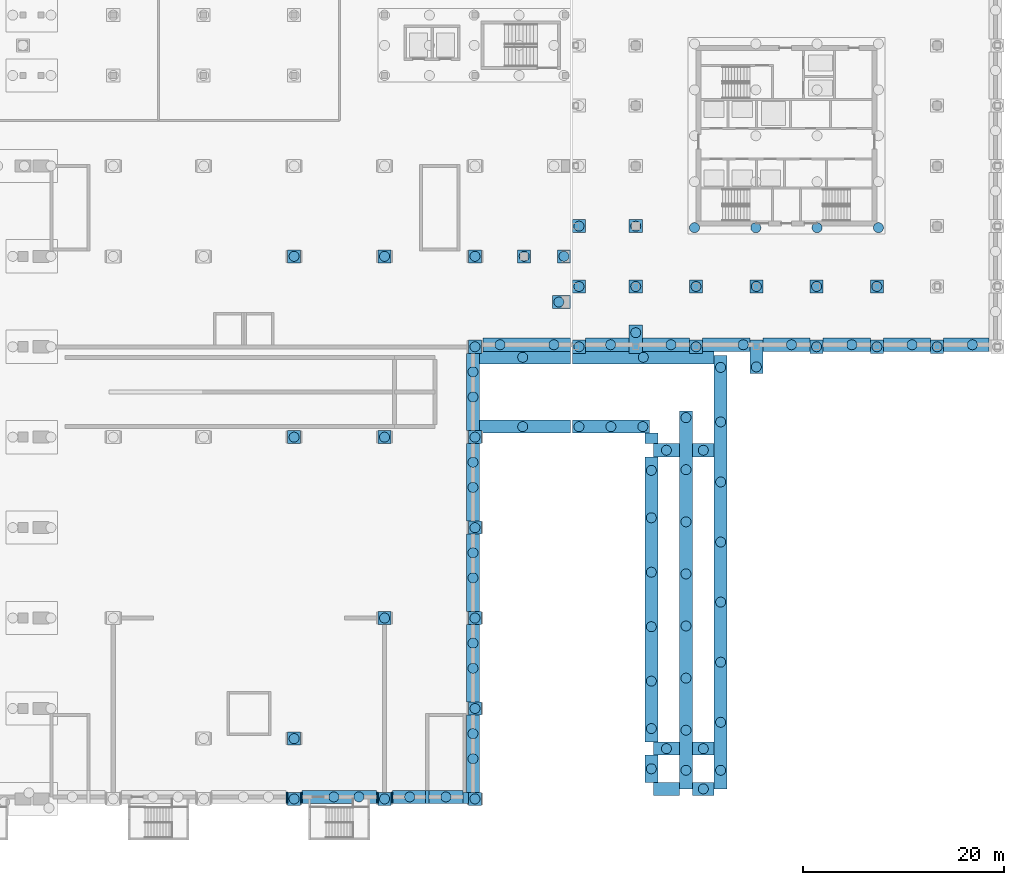
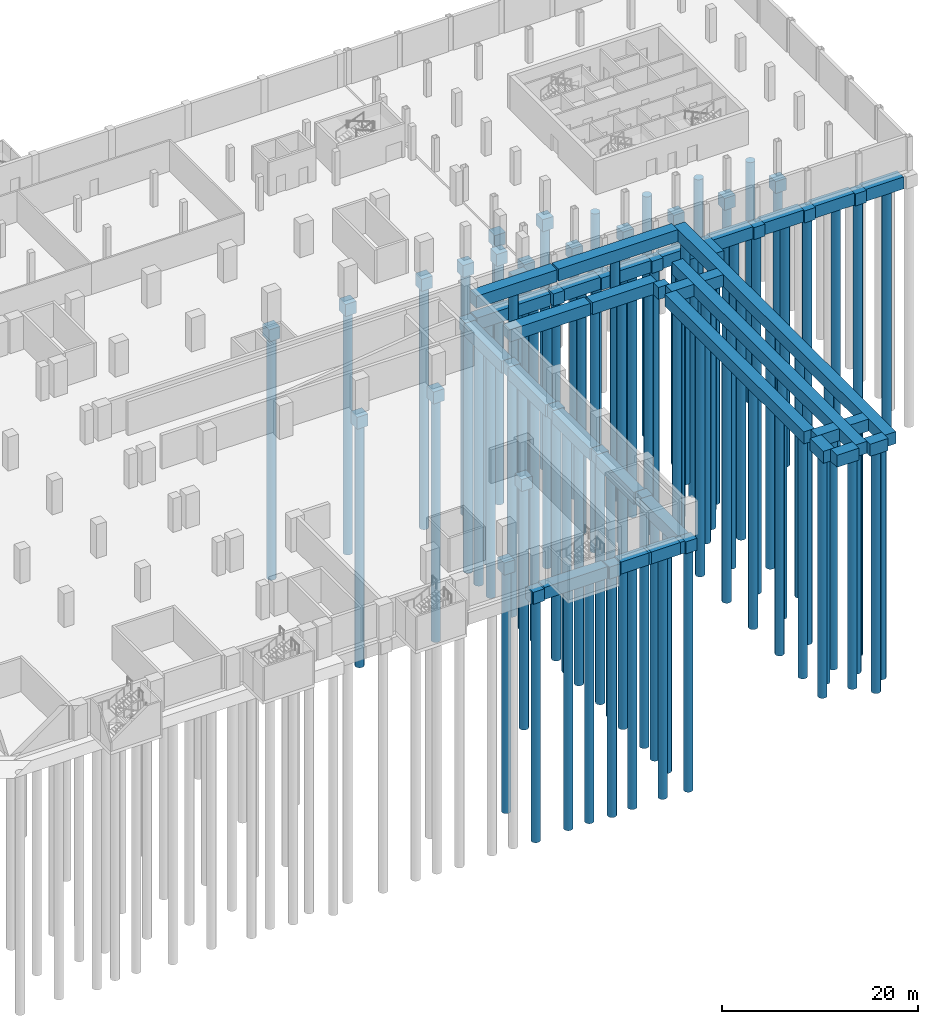
# One storey, part 4 of 29: 94 piles, 70 footings.
"""IFC4 building model written with IfcOpenShell, lengths in metres."""

from ifc_helpers import new_model, si_unit, direction, frame, origin, origin_2d, place, context, subcontext, project, spatial, rectangle, circle, extrude, material, material_profile, profile_set, type_object, element, save


model = new_model("IFC4")

# Units and contexts
model_context = context("Model", 3, precision=1e-05, world=origin(), true_north=direction((0.0, 1.0)))
body_context = subcontext(model_context, "Body", "Model", "MODEL_VIEW")
ifc_project = project(units=[si_unit("LENGTHUNIT", "METRE"), si_unit("AREAUNIT", "SQUARE_METRE"), si_unit("VOLUMEUNIT", "CUBIC_METRE"), si_unit("PLANEANGLEUNIT", "RADIAN"), si_unit("MASSUNIT", "GRAM", prefix="KILO")], contexts=[model_context])

# Site, building, storey
site_placement = place(None, origin())
site = spatial("IfcSite", under=ifc_project, at=site_placement, CompositionType="ELEMENT")
building_placement = place(site_placement, origin())
building = spatial("IfcBuilding", under=site, at=building_placement, Name="Aravalli Gate Trade Fair Centre", CompositionType="ELEMENT")
storey_placement = place(building_placement, frame((0.0, 0.0, -8.39990234375)))
storey = spatial("IfcBuildingStorey", under=building, at=storey_placement, Name="B2", CompositionType="ELEMENT", Elevation=-8.39990234375)

# Piles
ifc_material = material(Name="Concrete M35", Category="concrete")
ifc_material_profile = material_profile(ifc_material, circle(Radius=0.5, at=origin_2d()), Name="D1000")
ifc_profile_set = profile_set([ifc_material_profile], Name="Concrete M35")
pile_type = type_object("IfcPileType", Name="Basement bored pile D1000", PredefinedType="BORED", material=ifc_profile_set)
for number, where, z_axis, x_axis, name in (
    (1, (132.0, 46.0, -1.900146484375), (0.0, 0.0, -1.0), (1.0, 0.0, 0.0), "Basement bored pile W099-01"),
    (2, (141.0, 46.0, -1.900146484375), (0.0, 0.0, -1.0), (1.0, 0.0, 0.0), "Basement bored pile W100-01"),
    (3, (150.0, 46.0, -1.900146484375), (0.0, 0.0, -1.0), (1.0, 0.0, 0.0), "Basement bored pile W101-01"),
    (4, (135.949951171875, 46.199951171875, -1.900146484375), (0.0, 0.0, -1.0), (1.0, 0.0, 0.0), "Basement bored pile W112-01"),
    (5, (138.449951171875, 46.199951171875, -1.900146484375), (0.0, 0.0, -1.0), (1.0, 0.0, 0.0), "Basement bored pile W112-02"),
    (6, (143.5, 46.199951171875, -1.900146484375), (0.0, 0.0, -1.0), (1.0, 0.0, 0.0), "Basement bored pile W113-01"),
    (7, (147.10009765625, 46.199951171875, -1.900146484375), (0.0, 0.0, -1.0), (1.0, 0.0, 0.0), "Basement bored pile W114-01"),
    (8, (149.800048828125, 50.0, -1.900146484375), (0.0, 0.0, -1.0), (1.0, 0.0, 0.0), "Basement bored pile W116-01"),
    (9, (149.800048828125, 52.5, -1.900146484375), (0.0, 0.0, -1.0), (1.0, 0.0, 0.0), "Basement bored pile W116-02"),
    (10, (132.0, 52.0, -1.900146484375), (0.0, 0.0, -1.0), (1.0, 0.0, 0.0), "Basement bored pile W118-01"),
    (11, (150.0, 55.0, -1.900146484375), (0.0, 0.0, -1.0), (1.0, 0.0, 0.0), "Basement bored pile W121-01"),
    (12, (149.800048828125, 59.0, -1.900146484375), (0.0, 0.0, -1.0), (1.0, 0.0, 0.0), "Basement bored pile W123-01"),
    (13, (149.800048828125, 61.5, -1.900146484375), (0.0, 0.0, -1.0), (1.0, 0.0, 0.0), "Basement bored pile W123-02"),
    (14, (141.0, 64.0, -1.900146484375), (0.0, 0.0, -1.0), (1.0, 0.0, 0.0), "Basement bored pile W137-01"),
    (15, (150.0, 64.0, -1.900146484375), (0.0, 0.0, -1.0), (1.0, 0.0, 0.0), "Basement bored pile W138-01"),
    (16, (149.800048828125, 68.0, -1.900146484375), (0.0, 0.0, -1.0), (1.0, 0.0, 0.0), "Basement bored pile W140-01"),
    (17, (149.800048828125, 70.5, -1.900146484375), (0.0, 0.0, -1.0), (1.0, 0.0, 0.0), "Basement bored pile W140-02"),
    (18, (150.0, 73.0, -1.900146484375), (0.0, 0.0, -1.0), (1.0, 0.0, 0.0), "Basement bored pile W153-01"),
    (19, (149.800048828125, 77.0, -1.900146484375), (0.0, 0.0, -1.0), (1.0, 0.0, 0.0), "Basement bored pile W155-01"),
    (20, (149.800048828125, 79.5, -1.900146484375), (0.0, 0.0, -1.0), (1.0, 0.0, 0.0), "Basement bored pile W155-02"),
    (21, (132.0, 82.0, -1.900146484375), (0.0, 0.0, -1.0), (1.0, 0.0, 0.0), "Basement bored pile W170-01"),
    (22, (141.0, 82.0, -1.900146484375), (0.0, 0.0, -1.0), (1.0, 0.0, 0.0), "Basement bored pile W171-01"),
    (23, (150.0, 82.0, -1.900146484375), (0.0, 0.0, -1.0), (1.0, 0.0, 0.0), "Basement bored pile W172-01"),
    (24, (154.75, 83.050048828125, 1.849853515625), (0.0, 0.0, -1.0), (1.0, 0.0, 0.0), "Basement bored pile W173-01"),
    (25, (149.800048828125, 86.0, -1.900146484375), (0.0, 0.0, -1.0), (1.0, 0.0, 0.0), "Basement bored pile W175-01"),
    (26, (149.800048828125, 88.5, -1.900146484375), (0.0, 0.0, -1.0), (1.0, 0.0, 0.0), "Basement bored pile W175-02"),
    (27, (154.75, 89.949951171875, 1.849853515625), (0.0, 0.0, -1.0), (1.0, 0.0, 0.0), "Basement bored pile W176-01"),
    (28, (150.0, 91.0, -1.900146484375), (0.0, 0.0, -1.0), (1.0, 0.0, 0.0), "Basement bored pile W189-01"),
    (29, (152.5, 91.199951171875, -1.900146484375), (0.0, 0.0, -1.0), (1.0, 0.0, 0.0), "Basement bored pile W190-01"),
    (30, (157.85009765625, 91.199951171875, -1.900146484375), (0.0, 0.0, -1.0), (1.0, 0.0, 0.0), "Basement bored pile W190-02"),
    (31, (158.35009765625, 95.449951171875, -1.900146484375), (0.0, 0.0, -1.0), (1.0, 0.0, 0.0), "Basement bored pile W192-01"),
    (32, (132.0, 100.0, -1.900146484375), (0.0, 0.0, -1.0), (1.0, 0.0, 0.0), "Basement bored pile W202-01"),
    (33, (141.0, 100.0, -1.900146484375), (0.0, 0.0, -1.0), (1.0, 0.0, 0.0), "Basement bored pile W203-01"),
    (34, (150.0, 100.0, -1.900146484375), (0.0, 0.0, -1.0), (1.0, 0.0, 0.0), "Basement bored pile W204-01"),
    (35, (154.89990234375, 100.0, -1.900146484375), (0.0, 0.0, -1.0), (1.0, 0.0, 0.0), "Basement bored pile W205-01"),
    (36, (158.85009765625, 100.0, -1.900146484375), (0.0, 0.0, -1.0), (1.0, 0.0, 0.0), "Basement bored pile W206-01"),
    (37, (172.72509765625, 47.0, 1.849853515625), (0.0, 0.0, -1.0), (1.0, 0.0, 0.0), "Basement bored pile E012-01"),
    (38, (171.0, 48.85009765625, 1.849853515625), (0.0, 0.0, -1.0), (1.0, 0.0, 0.0), "Basement bored pile E013-01"),
    (39, (171.0, 52.835693359375, 1.849853515625), (0.0, 0.0, -1.0), (1.0, 0.0, 0.0), "Basement bored pile E013-02"),
    (40, (171.0, 58.021484375, 1.849853515625), (0.0, 0.0, -1.0), (1.0, 0.0, 0.0), "Basement bored pile E013-03"),
    (41, (171.0, 63.20703125, 1.849853515625), (0.0, 0.0, -1.0), (1.0, 0.0, 0.0), "Basement bored pile E013-04"),
    (42, (171.0, 68.392822265625, 1.849853515625), (0.0, 0.0, -1.0), (1.0, 0.0, 0.0), "Basement bored pile E013-05"),
    (43, (171.0, 73.57861328125, 1.849853515625), (0.0, 0.0, -1.0), (1.0, 0.0, 0.0), "Basement bored pile E013-06"),
    (44, (171.0, 78.764404296875, 1.849853515625), (0.0, 0.0, -1.0), (1.0, 0.0, 0.0), "Basement bored pile E013-07"),
    (45, (171.0, 83.949951171875, 1.849853515625), (0.0, 0.0, -1.0), (1.0, 0.0, 0.0), "Basement bored pile E013-08"),
    (46, (174.449951171875, 48.85009765625, 1.849853515625), (0.0, 0.0, -1.0), (1.0, 0.0, 0.0), "Basement bored pile E014-01"),
    (47, (174.449951171875, 53.628662109375, 1.849853515625), (0.0, 0.0, -1.0), (1.0, 0.0, 0.0), "Basement bored pile E014-02"),
    (48, (174.449951171875, 59.607177734375, 1.849853515625), (0.0, 0.0, -1.0), (1.0, 0.0, 0.0), "Basement bored pile E014-03"),
    (49, (174.449951171875, 65.585693359375, 1.849853515625), (0.0, 0.0, -1.0), (1.0, 0.0, 0.0), "Basement bored pile E014-04"),
    (50, (174.449951171875, 71.564208984375, 1.849853515625), (0.0, 0.0, -1.0), (1.0, 0.0, 0.0), "Basement bored pile E014-05"),
    (51, (174.449951171875, 77.54296875, 1.849853515625), (0.0, 0.0, -1.0), (1.0, 0.0, 0.0), "Basement bored pile E014-06"),
    (52, (174.449951171875, 83.521484375, 1.849853515625), (0.0, 0.0, -1.0), (1.0, 0.0, 0.0), "Basement bored pile E014-07"),
    (53, (174.449951171875, 88.949951171875, 1.849853515625), (0.0, 0.0, -1.0), (1.0, 0.0, 0.0), "Basement bored pile E014-08"),
    (54, (167.550048828125, 49.0, 1.849853515625), (0.0, 0.0, -1.0), (1.0, 0.0, 0.0), "Basement bored pile E015-01"),
    (55, (169.050048828125, 51.0, 1.849853515625), (0.0, 0.0, -1.0), (1.0, 0.0, 0.0), "Basement bored pile E016-01"),
    (56, (172.72509765625, 51.0, 1.849853515625), (0.0, 0.0, -1.0), (1.0, 0.0, 0.0), "Basement bored pile E017-01"),
    (57, (167.550048828125, 53.0, 1.849853515625), (0.0, 0.0, -1.0), (1.0, 0.0, 0.0), "Basement bored pile E018-01"),
    (58, (167.550048828125, 57.719970703125, 1.849853515625), (0.0, 0.0, -1.0), (1.0, 0.0, 0.0), "Basement bored pile E018-02"),
    (59, (167.550048828125, 63.139892578125, 1.849853515625), (0.0, 0.0, -1.0), (1.0, 0.0, 0.0), "Basement bored pile E018-03"),
    (60, (167.550048828125, 68.56005859375, 1.849853515625), (0.0, 0.0, -1.0), (1.0, 0.0, 0.0), "Basement bored pile E018-04"),
    (61, (167.550048828125, 73.97998046875, 1.849853515625), (0.0, 0.0, -1.0), (1.0, 0.0, 0.0), "Basement bored pile E018-05"),
    (62, (167.550048828125, 78.699951171875, 1.849853515625), (0.0, 0.0, -1.0), (1.0, 0.0, 0.0), "Basement bored pile E018-06"),
    (63, (169.050048828125, 80.699951171875, 1.849853515625), (0.0, 0.0, -1.0), (1.0, 0.0, 0.0), "Basement bored pile E019-01"),
    (64, (172.72509765625, 80.699951171875, 1.849853515625), (0.0, 0.0, -1.0), (1.0, 0.0, 0.0), "Basement bored pile E020-01"),
    (65, (160.35009765625, 83.050048828125, 1.849853515625), (0.0, 0.0, -1.0), (1.0, 0.0, 0.0), "Basement bored pile E022-01"),
    (66, (163.52490234375, 83.050048828125, 1.849853515625), (0.0, 0.0, -1.0), (1.0, 0.0, 0.0), "Basement bored pile E022-02"),
    (67, (166.699951171875, 83.050048828125, 1.849853515625), (0.0, 0.0, -1.0), (1.0, 0.0, 0.0), "Basement bored pile E022-03"),
    (68, (178.0, 89.0, -1.900146484375), (0.0, 0.0, -1.0), (1.0, 0.0, 0.0), "Basement bored pile E023-01"),
    (69, (166.75, 89.949951171875, 1.849853515625), (0.0, 0.0, -1.0), (1.0, 0.0, 0.0), "Basement bored pile E024-01"),
    (70, (160.35009765625, 91.0, -1.900146484375), (0.0, 0.0, -1.0), (1.0, 0.0, 0.0), "Basement bored pile E025-01"),
    (71, (166.0, 92.39990234375, -1.900146484375), (0.0, 0.0, -1.0), (1.0, 0.0, 0.0), "Basement bored pile E026-01"),
    (72, (172.0, 91.0, -1.900146484375), (0.0, 0.0, -1.0), (1.0, 0.0, 0.0), "Basement bored pile E027-01"),
    (73, (184.0, 91.0, -1.900146484375), (0.0, 0.0, -1.0), (1.0, 0.0, 0.0), "Basement bored pile E028-01"),
    (74, (190.0, 91.0, -1.900146484375), (0.0, 0.0, -1.0), (1.0, 0.0, 0.0), "Basement bored pile E029-01"),
    (75, (196.0, 91.0, -1.900146484375), (0.0, 0.0, -1.0), (1.0, 0.0, 0.0), "Basement bored pile E030-01"),
    (76, (163.5, 91.199951171875, -1.900146484375), (0.0, 0.0, -1.0), (1.0, 0.0, 0.0), "Basement bored pile E032-01"),
    (77, (169.5, 91.199951171875, -1.900146484375), (0.0, 0.0, -1.0), (1.0, 0.0, 0.0), "Basement bored pile E033-01"),
    (78, (176.699951171875, 91.199951171875, -1.900146484375), (0.0, 0.0, -1.0), (1.0, 0.0, 0.0), "Basement bored pile E034-01"),
    (79, (181.5, 91.199951171875, -1.900146484375), (0.0, 0.0, -1.0), (1.0, 0.0, 0.0), "Basement bored pile E035-01"),
    (80, (187.5, 91.199951171875, -1.900146484375), (0.0, 0.0, -1.0), (1.0, 0.0, 0.0), "Basement bored pile E036-01"),
    (81, (193.5, 91.199951171875, -1.900146484375), (0.0, 0.0, -1.0), (1.0, 0.0, 0.0), "Basement bored pile E037-01"),
    (82, (199.5, 91.199951171875, -1.900146484375), (0.0, 0.0, -1.0), (1.0, 0.0, 0.0), "Basement bored pile E038-01"),
    (83, (160.35009765625, 97.0, -1.900146484375), (0.0, 0.0, -1.0), (1.0, 0.0, 0.0), "Basement bored pile E040-01"),
    (84, (166.0, 97.0, -1.900146484375), (0.0, 0.0, -1.0), (1.0, 0.0, 0.0), "Basement bored pile E041-01"),
    (85, (172.0, 97.0, -1.900146484375), (0.0, 0.0, -1.0), (1.0, 0.0, 0.0), "Basement bored pile E042-01"),
    (86, (178.0, 97.0, -1.900146484375), (0.0, 0.0, -1.0), (1.0, 0.0, 0.0), "Basement bored pile E043-01"),
    (87, (184.0, 97.0, -1.900146484375), (0.0, 0.0, -1.0), (1.0, 0.0, 0.0), "Basement bored pile E044-01"),
    (88, (190.0, 97.0, -1.900146484375), (0.0, 0.0, -1.0), (1.0, 0.0, 0.0), "Basement bored pile E045-01"),
    (89, (171.85009765625, 102.85009765625, -1.900146484375), (0.0, 0.0, -1.0), (1.0, 0.0, 0.0), "Basement bored pile E049-01"),
    (90, (177.949951171875, 102.85009765625, -1.900146484375), (0.0, 0.0, -1.0), (1.0, 0.0, 0.0), "Basement bored pile E049-06"),
    (91, (184.050048828125, 102.85009765625, -1.900146484375), (0.0, 0.0, -1.0), (1.0, 0.0, 0.0), "Basement bored pile E049-11"),
    (92, (190.14990234375, 102.85009765625, -1.900146484375), (0.0, 0.0, -1.0), (1.0, 0.0, 0.0), "Basement bored pile E049-16"),
    (93, (160.35009765625, 103.0, -1.900146484375), (0.0, 0.0, -1.0), (1.0, 0.0, 0.0), "Basement bored pile E050-01"),
    (94, (166.0, 103.0, -1.900146484375), (0.0, 0.0, -1.0), (1.0, 0.0, 0.0), "Basement bored pile E051-01"),
):
    element("IfcPile", number, at=place(storey_placement, frame(where, z_axis=z_axis, x_axis=x_axis)), inside=storey, type_object=pile_type, Name=name, PredefinedType="BORED", context=body_context, shape_type="SweptSolid", body=[
        extrude(circle(Radius=0.5, at=origin_2d()), origin(), (0.0, 0.0, 1.0), 30.0),
    ])

# Footings
footing_type_1 = type_object("IfcFootingType", Name="Basement ground beam 0.15 x 1.1", PredefinedType="FOOTING_BEAM", material=ifc_material)
for number, where, z_axis, x_axis, name in (
    (95, (131.27490234375, 46.10009765625, -1.900146484375), (0.0, 0.0, 1.0), (1.0, 0.0, 0.0), "Basement pile cap W298"),
    (96, (132.72509765625, 46.10009765625, -1.900146484375), (0.0, 0.0, 1.0), (1.0, 0.0, 0.0), "Basement pile cap W299"),
    (97, (140.27490234375, 46.10009765625, -1.900146484375), (0.0, 0.0, 1.0), (1.0, 0.0, 0.0), "Basement pile cap W300"),
    (98, (141.72509765625, 46.10009765625, -1.900146484375), (0.0, 0.0, 1.0), (1.0, 0.0, 0.0), "Basement pile cap W301"),
):
    element("IfcFooting", number, at=place(storey_placement, frame(where, z_axis=z_axis, x_axis=x_axis)), inside=storey, type_object=footing_type_1, Name=name, PredefinedType="FOOTING_BEAM", context=body_context, shape_type="SweptSolid", body=[
        extrude(rectangle(XDim=0.14990234375, YDim=1.10009765625, at=origin_2d()), origin(), (0.0, 0.0, 1.0), 1.5),
    ])
footing_type_2 = type_object("IfcFootingType", Name="Basement ground beam 0.3 x 1.3", PredefinedType="FOOTING_BEAM", material=ifc_material)
footing_1_placement = place(storey_placement, frame((145.25, 46.199951171875, -1.900146484375), z_axis=(0.0, 0.0, 1.0), x_axis=(1.0, 0.0, 0.0)))
element("IfcFooting", 99, at=footing_1_placement, inside=storey, type_object=footing_type_2, Name="Basement pile cap W302", PredefinedType="FOOTING_BEAM", context=body_context, shape_type="SweptSolid", body=[
    extrude(rectangle(XDim=0.300048828125, YDim=1.300048828125, at=origin_2d()), origin(), (0.0, 0.0, 1.0), 1.5),
])
footing_type_3 = type_object("IfcFootingType", Name="Basement ground beam 0.55 x 1.1", PredefinedType="FOOTING_BEAM", material=ifc_material)
footing_2_placement = place(storey_placement, frame((149.074951171875, 46.10009765625, -1.900146484375), z_axis=(0.0, 0.0, 1.0), x_axis=(1.0, 0.0, 0.0)))
element("IfcFooting", 100, at=footing_2_placement, inside=storey, type_object=footing_type_3, Name="Basement pile cap W303", PredefinedType="FOOTING_BEAM", context=body_context, shape_type="SweptSolid", body=[
    extrude(rectangle(XDim=0.550048828125, YDim=1.10009765625, at=origin_2d()), origin(), (0.0, 0.0, 1.0), 1.5),
])
footing_type_4 = type_object("IfcFootingType", Name="Basement ground beam 1.3 x 1.05", PredefinedType="FOOTING_BEAM", material=ifc_material)
footing_3_placement = place(storey_placement, frame((167.550048828125, 81.875, 1.849853515625), z_axis=(0.0, 0.0, 1.0), x_axis=(1.0, 0.0, 0.0)))
element("IfcFooting", 101, at=footing_3_placement, inside=storey, type_object=footing_type_4, Name="Basement pile cap E021", PredefinedType="FOOTING_BEAM", context=body_context, shape_type="SweptSolid", body=[
    extrude(rectangle(XDim=1.300048828125, YDim=1.050048828125, at=origin_2d()), origin(), (0.0, 0.0, 1.0), 1.5),
])
footing_type_5 = type_object("IfcFootingType", Name="Basement ground beam 2.6 x 1.3", PredefinedType="FOOTING_BEAM", material=ifc_material)
footing_4_placement = place(storey_placement, frame((169.050048828125, 47.0, 1.849853515625), z_axis=(0.0, 0.0, 1.0), x_axis=(1.0, 0.0, 0.0)))
element("IfcFooting", 102, at=footing_4_placement, inside=storey, type_object=footing_type_5, Name="Basement pile cap E011", PredefinedType="FOOTING_BEAM", context=body_context, shape_type="SweptSolid", body=[
    extrude(rectangle(XDim=2.60009765625, YDim=1.300048828125, at=origin_2d()), origin(), (0.0, 0.0, 1.0), 1.5),
])
footing_type_6 = type_object("IfcFootingType", Name="Basement pile cap 1.3 x 1.3 (1 x 1 piles)", PredefinedType="PILE_CAP", material=ifc_material)
for number, where, z_axis, x_axis, name in (
    (103, (132.0, 46.0, -1.900146484375), (0.0, 0.0, 1.0), (1.0, 0.0, 0.0), "Basement pile cap W099"),
    (104, (141.0, 46.0, -1.900146484375), (0.0, 0.0, 1.0), (1.0, 0.0, 0.0), "Basement pile cap W100"),
    (105, (150.0, 46.0, -1.900146484375), (0.0, 0.0, 1.0), (1.0, 0.0, 0.0), "Basement pile cap W101"),
    (106, (132.0, 52.0, -1.900146484375), (0.0, 0.0, 1.0), (1.0, 0.0, 0.0), "Basement pile cap W118"),
    (107, (150.0, 55.0, -1.900146484375), (0.0, 0.0, 1.0), (1.0, 0.0, 0.0), "Basement pile cap W121"),
    (108, (141.0, 64.0, -1.900146484375), (0.0, 0.0, 1.0), (1.0, 0.0, 0.0), "Basement pile cap W137"),
    (109, (150.0, 64.0, -1.900146484375), (0.0, 0.0, 1.0), (1.0, 0.0, 0.0), "Basement pile cap W138"),
    (110, (150.0, 73.0, -1.900146484375), (0.0, 0.0, 1.0), (1.0, 0.0, 0.0), "Basement pile cap W153"),
    (111, (132.0, 82.0, -1.900146484375), (0.0, 0.0, 1.0), (1.0, 0.0, 0.0), "Basement pile cap W170"),
    (112, (141.0, 82.0, -1.900146484375), (0.0, 0.0, 1.0), (1.0, 0.0, 0.0), "Basement pile cap W171"),
    (113, (150.0, 82.0, -1.900146484375), (0.0, 0.0, 1.0), (1.0, 0.0, 0.0), "Basement pile cap W172"),
    (114, (150.0, 91.0, -1.900146484375), (0.0, 0.0, 1.0), (1.0, 0.0, 0.0), "Basement pile cap W189"),
    (115, (132.0, 100.0, -1.900146484375), (0.0, 0.0, 1.0), (1.0, 0.0, 0.0), "Basement pile cap W202"),
    (116, (141.0, 100.0, -1.900146484375), (0.0, 0.0, 1.0), (1.0, 0.0, 0.0), "Basement pile cap W203"),
    (117, (150.0, 100.0, -1.900146484375), (0.0, 0.0, 1.0), (1.0, 0.0, 0.0), "Basement pile cap W204"),
    (118, (154.89990234375, 100.0, -1.900146484375), (0.0, 0.0, 1.0), (1.0, 0.0, 0.0), "Basement pile cap W205"),
    (119, (158.85009765625, 100.0, -1.900146484375), (0.0, 0.0, 1.0), (1.0, 0.0, 0.0), "Basement pile cap W206"),
    (120, (160.35009765625, 91.0, -1.900146484375), (0.0, 0.0, 1.0), (1.0, 0.0, 0.0), "Basement pile cap E025"),
    (121, (172.0, 91.0, -1.900146484375), (0.0, 0.0, 1.0), (1.0, 0.0, 0.0), "Basement pile cap E027"),
    (122, (184.0, 91.0, -1.900146484375), (0.0, 0.0, 1.0), (1.0, 0.0, 0.0), "Basement pile cap E028"),
    (123, (190.0, 91.0, -1.900146484375), (0.0, 0.0, 1.0), (1.0, 0.0, 0.0), "Basement pile cap E029"),
    (124, (196.0, 91.0, -1.900146484375), (0.0, 0.0, 1.0), (1.0, 0.0, 0.0), "Basement pile cap E030"),
    (125, (160.35009765625, 97.0, -1.900146484375), (0.0, 0.0, 1.0), (1.0, 0.0, 0.0), "Basement pile cap E040"),
    (126, (166.0, 97.0, -1.900146484375), (0.0, 0.0, 1.0), (1.0, 0.0, 0.0), "Basement pile cap E041"),
    (127, (172.0, 97.0, -1.900146484375), (0.0, 0.0, 1.0), (1.0, 0.0, 0.0), "Basement pile cap E042"),
    (128, (178.0, 97.0, -1.900146484375), (0.0, 0.0, 1.0), (1.0, 0.0, 0.0), "Basement pile cap E043"),
    (129, (184.0, 97.0, -1.900146484375), (0.0, 0.0, 1.0), (1.0, 0.0, 0.0), "Basement pile cap E044"),
    (130, (190.0, 97.0, -1.900146484375), (0.0, 0.0, 1.0), (1.0, 0.0, 0.0), "Basement pile cap E045"),
    (131, (160.35009765625, 103.0, -1.900146484375), (0.0, 0.0, 1.0), (1.0, 0.0, 0.0), "Basement pile cap E050"),
    (132, (166.0, 103.0, -1.900146484375), (0.0, 0.0, 1.0), (1.0, 0.0, 0.0), "Basement pile cap E051"),
):
    element("IfcFooting", number, at=place(storey_placement, frame(where, z_axis=z_axis, x_axis=x_axis)), inside=storey, type_object=footing_type_6, Name=name, PredefinedType="PILE_CAP", context=body_context, shape_type="SweptSolid", body=[
        extrude(rectangle(XDim=1.300048828125, YDim=1.300048828125, at=origin_2d()), origin(), (0.0, 0.0, 1.0), 1.5),
    ])
footing_type_7 = type_object("IfcFootingType", Name="Basement pile cap 1.3 x 2.7 (1 x 1 piles)", PredefinedType="PILE_CAP", material=ifc_material)
footing_5_placement = place(storey_placement, frame((167.550048828125, 49.0, 1.849853515625), z_axis=(0.0, 0.0, 1.0), x_axis=(1.0, 0.0, 0.0)))
element("IfcFooting", 133, at=footing_5_placement, inside=storey, type_object=footing_type_7, Name="Basement pile cap E015", PredefinedType="PILE_CAP", context=body_context, shape_type="SweptSolid", body=[
    extrude(rectangle(XDim=1.300048828125, YDim=2.699951171875, at=origin_2d()), origin(), (0.0, 0.0, 1.0), 1.5),
])
footing_type_8 = type_object("IfcFootingType", Name="Basement pile cap 1.3 x 2.8 (1 x 1 piles)", PredefinedType="PILE_CAP", material=ifc_material)
footing_6_placement = place(storey_placement, frame((166.0, 91.75, -1.900146484375), z_axis=(0.0, 0.0, 1.0), x_axis=(1.0, 0.0, 0.0)))
element("IfcFooting", 134, at=footing_6_placement, inside=storey, type_object=footing_type_8, Name="Basement pile cap E026", PredefinedType="PILE_CAP", context=body_context, shape_type="SweptSolid", body=[
    extrude(rectangle(XDim=1.300048828125, YDim=2.800048828125, at=origin_2d()), origin(), (0.0, 0.0, 1.0), 1.5),
])
footing_type_9 = type_object("IfcFootingType", Name="Basement pile cap 1.3 x 28.4 (1 x 6 piles)", PredefinedType="PILE_CAP", material=ifc_material)
footing_7_placement = place(storey_placement, frame((167.550048828125, 65.85009765625, 1.849853515625), z_axis=(0.0, 0.0, 1.0), x_axis=(1.0, 0.0, 0.0)))
element("IfcFooting", 135, at=footing_7_placement, inside=storey, type_object=footing_type_9, Name="Basement pile cap E018", PredefinedType="PILE_CAP", context=body_context, shape_type="SweptSolid", body=[
    extrude(rectangle(XDim=1.300048828125, YDim=28.39990234375, at=origin_2d()), origin(), (0.0, 0.0, 1.0), 1.5),
])
footing_type_10 = type_object("IfcFootingType", Name="Basement pile cap 1.3 x 3.3 (1 x 1 piles)", PredefinedType="PILE_CAP", material=ifc_material)
footing_8_placement = place(storey_placement, frame((178.0, 90.0, -1.900146484375), z_axis=(0.0, 0.0, 1.0), x_axis=(1.0, 0.0, 0.0)))
element("IfcFooting", 136, at=footing_8_placement, inside=storey, type_object=footing_type_10, Name="Basement pile cap E023", PredefinedType="PILE_CAP", context=body_context, shape_type="SweptSolid", body=[
    extrude(rectangle(XDim=1.300048828125, YDim=3.300048828125, at=origin_2d()), origin(), (0.0, 0.0, 1.0), 1.5),
])
footing_type_11 = type_object("IfcFootingType", Name="Basement pile cap 1.3 x 37.6 (1 x 8 piles)", PredefinedType="PILE_CAP", material=ifc_material)
footing_9_placement = place(storey_placement, frame((171.0, 65.800048828125, 1.849853515625), z_axis=(0.0, 0.0, 1.0), x_axis=(1.0, 0.0, 0.0)))
element("IfcFooting", 137, at=footing_9_placement, inside=storey, type_object=footing_type_11, Name="Basement pile cap E013", PredefinedType="PILE_CAP", context=body_context, shape_type="SweptSolid", body=[
    extrude(rectangle(XDim=1.300048828125, YDim=37.60009765625, at=origin_2d()), origin(), (0.0, 0.0, 1.0), 1.5),
])
footing_type_12 = type_object("IfcFootingType", Name="Basement pile cap 1.3 x 43.15 (1 x 8 piles)", PredefinedType="PILE_CAP", material=ifc_material)
footing_10_placement = place(storey_placement, frame((174.449951171875, 68.574951171875, 1.849853515625), z_axis=(0.0, 0.0, 1.0), x_axis=(1.0, 0.0, 0.0)))
element("IfcFooting", 138, at=footing_10_placement, inside=storey, type_object=footing_type_12, Name="Basement pile cap E014", PredefinedType="PILE_CAP", context=body_context, shape_type="SweptSolid", body=[
    extrude(rectangle(XDim=1.300048828125, YDim=43.14990234375, at=origin_2d()), origin(), (0.0, 0.0, 1.0), 1.5),
])
footing_type_13 = type_object("IfcFootingType", Name="Basement pile cap 1.3 x 7.7 (1 x 2 piles)", PredefinedType="PILE_CAP", material=ifc_material)
for number, where, z_axis, x_axis, name in (
    (139, (149.800048828125, 50.5, -1.900146484375), (0.0, 0.0, 1.0), (1.0, 0.0, 0.0), "Basement pile cap W116"),
    (140, (149.800048828125, 59.5, -1.900146484375), (0.0, 0.0, 1.0), (1.0, 0.0, 0.0), "Basement pile cap W123"),
    (141, (149.800048828125, 68.5, -1.900146484375), (0.0, 0.0, 1.0), (1.0, 0.0, 0.0), "Basement pile cap W140"),
    (142, (149.800048828125, 77.5, -1.900146484375), (0.0, 0.0, 1.0), (1.0, 0.0, 0.0), "Basement pile cap W155"),
    (143, (149.800048828125, 86.5, -1.900146484375), (0.0, 0.0, 1.0), (1.0, 0.0, 0.0), "Basement pile cap W175"),
):
    element("IfcFooting", number, at=place(storey_placement, frame(where, z_axis=z_axis, x_axis=x_axis)), inside=storey, type_object=footing_type_13, Name=name, PredefinedType="PILE_CAP", context=body_context, shape_type="SweptSolid", body=[
        extrude(rectangle(XDim=1.300048828125, YDim=7.699951171875, at=origin_2d()), origin(), (0.0, 0.0, 1.0), 1.5),
    ])
footing_type_14 = type_object("IfcFootingType", Name="Basement pile cap 1.8 x 1.3 (1 x 1 piles)", PredefinedType="PILE_CAP", material=ifc_material)
footing_11_placement = place(storey_placement, frame((158.60009765625, 95.449951171875, -1.900146484375), z_axis=(0.0, 0.0, 1.0), x_axis=(1.0, 0.0, 0.0)))
element("IfcFooting", 144, at=footing_11_placement, inside=storey, type_object=footing_type_14, Name="Basement pile cap W192", PredefinedType="PILE_CAP", context=body_context, shape_type="SweptSolid", body=[
    extrude(rectangle(XDim=1.800048828125, YDim=1.300048828125, at=origin_2d()), origin(), (0.0, 0.0, 1.0), 1.5),
])
footing_type_15 = type_object("IfcFootingType", Name="Basement pile cap 14.1 x 1.3 (1 x 1 piles)", PredefinedType="PILE_CAP", material=ifc_material)
footing_12_placement = place(storey_placement, frame((166.75, 89.949951171875, 1.849853515625), z_axis=(0.0, 0.0, 1.0), x_axis=(1.0, 0.0, 0.0)))
element("IfcFooting", 145, at=footing_12_placement, inside=storey, type_object=footing_type_15, Name="Basement pile cap E024", PredefinedType="PILE_CAP", context=body_context, shape_type="SweptSolid", body=[
    extrude(rectangle(XDim=14.10009765625, YDim=1.300048828125, at=origin_2d()), origin(), (0.0, 0.0, 1.0), 1.5),
])
footing_type_16 = type_object("IfcFootingType", Name="Basement pile cap 2.15 x 1.3 (1 x 1 piles)", PredefinedType="PILE_CAP", material=ifc_material)
for number, where, z_axis, x_axis, name in (
    (146, (172.72509765625, 47.0, 1.849853515625), (0.0, 0.0, 1.0), (1.0, 0.0, 0.0), "Basement pile cap E012"),
    (147, (172.72509765625, 51.0, 1.849853515625), (0.0, 0.0, 1.0), (1.0, 0.0, 0.0), "Basement pile cap E017"),
    (148, (172.72509765625, 80.699951171875, 1.849853515625), (0.0, 0.0, 1.0), (1.0, 0.0, 0.0), "Basement pile cap E020"),
):
    element("IfcFooting", number, at=place(storey_placement, frame(where, z_axis=z_axis, x_axis=x_axis)), inside=storey, type_object=footing_type_16, Name=name, PredefinedType="PILE_CAP", context=body_context, shape_type="SweptSolid", body=[
        extrude(rectangle(XDim=2.14990234375, YDim=1.300048828125, at=origin_2d()), origin(), (0.0, 0.0, 1.0), 1.5),
    ])
footing_type_17 = type_object("IfcFootingType", Name="Basement pile cap 2.6 x 1.3 (1 x 1 piles)", PredefinedType="PILE_CAP", material=ifc_material)
for number, where, z_axis, x_axis, name in (
    (149, (169.050048828125, 51.0, 1.849853515625), (0.0, 0.0, 1.0), (1.0, 0.0, 0.0), "Basement pile cap E016"),
    (150, (169.050048828125, 80.699951171875, 1.849853515625), (0.0, 0.0, 1.0), (1.0, 0.0, 0.0), "Basement pile cap E019"),
):
    element("IfcFooting", number, at=place(storey_placement, frame(where, z_axis=z_axis, x_axis=x_axis)), inside=storey, type_object=footing_type_17, Name=name, PredefinedType="PILE_CAP", context=body_context, shape_type="SweptSolid", body=[
        extrude(rectangle(XDim=2.60009765625, YDim=1.300048828125, at=origin_2d()), origin(), (0.0, 0.0, 1.0), 1.5),
    ])
footing_type_18 = type_object("IfcFootingType", Name="Basement pile cap 3.3 x 1.3 (1 x 1 piles)", PredefinedType="PILE_CAP", material=ifc_material)
footing_13_placement = place(storey_placement, frame((143.449951171875, 46.199951171875, -1.900146484375), z_axis=(0.0, 0.0, 1.0), x_axis=(1.0, 0.0, 0.0)))
element("IfcFooting", 151, at=footing_13_placement, inside=storey, type_object=footing_type_18, Name="Basement pile cap W113", PredefinedType="PILE_CAP", context=body_context, shape_type="SweptSolid", body=[
    extrude(rectangle(XDim=3.300048828125, YDim=1.300048828125, at=origin_2d()), origin(), (0.0, 0.0, 1.0), 1.5),
])
footing_type_19 = type_object("IfcFootingType", Name="Basement pile cap 3.4 x 1.3 (1 x 1 piles)", PredefinedType="PILE_CAP", material=ifc_material)
footing_14_placement = place(storey_placement, frame((147.10009765625, 46.199951171875, -1.900146484375), z_axis=(0.0, 0.0, 1.0), x_axis=(1.0, 0.0, 0.0)))
element("IfcFooting", 152, at=footing_14_placement, inside=storey, type_object=footing_type_19, Name="Basement pile cap W114", PredefinedType="PILE_CAP", context=body_context, shape_type="SweptSolid", body=[
    extrude(rectangle(XDim=3.39990234375, YDim=1.300048828125, at=origin_2d()), origin(), (0.0, 0.0, 1.0), 1.5),
])
footing_type_20 = type_object("IfcFootingType", Name="Basement pile cap 4.35 x 1.3 (1 x 1 piles)", PredefinedType="PILE_CAP", material=ifc_material)
footing_15_placement = place(storey_placement, frame((163.175048828125, 91.199951171875, -1.900146484375), z_axis=(0.0, 0.0, 1.0), x_axis=(1.0, 0.0, 0.0)))
element("IfcFooting", 153, at=footing_15_placement, inside=storey, type_object=footing_type_20, Name="Basement pile cap E032", PredefinedType="PILE_CAP", context=body_context, shape_type="SweptSolid", body=[
    extrude(rectangle(XDim=4.35009765625, YDim=1.300048828125, at=origin_2d()), origin(), (0.0, 0.0, 1.0), 1.5),
])
footing_type_21 = type_object("IfcFootingType", Name="Basement pile cap 4.5 x 1.3 (1 x 1 piles)", PredefinedType="PILE_CAP", material=ifc_material)
footing_16_placement = place(storey_placement, frame((198.89990234375, 91.199951171875, -1.900146484375), z_axis=(0.0, 0.0, 1.0), x_axis=(1.0, 0.0, 0.0)))
element("IfcFooting", 154, at=footing_16_placement, inside=storey, type_object=footing_type_21, Name="Basement pile cap E038", PredefinedType="PILE_CAP", context=body_context, shape_type="SweptSolid", body=[
    extrude(rectangle(XDim=4.5, YDim=1.300048828125, at=origin_2d()), origin(), (0.0, 0.0, 1.0), 1.5),
])
footing_type_22 = type_object("IfcFootingType", Name="Basement pile cap 4.7 x 1.3 (1 x 1 piles)", PredefinedType="PILE_CAP", material=ifc_material)
for number, where, z_axis, x_axis, name in (
    (155, (169.0, 91.199951171875, -1.900146484375), (0.0, 0.0, 1.0), (1.0, 0.0, 0.0), "Basement pile cap E033"),
    (156, (175.0, 91.199951171875, -1.900146484375), (0.0, 0.0, 1.0), (1.0, 0.0, 0.0), "Basement pile cap E034"),
    (157, (181.0, 91.199951171875, -1.900146484375), (0.0, 0.0, 1.0), (1.0, 0.0, 0.0), "Basement pile cap E035"),
    (158, (187.0, 91.199951171875, -1.900146484375), (0.0, 0.0, 1.0), (1.0, 0.0, 0.0), "Basement pile cap E036"),
    (159, (193.0, 91.199951171875, -1.900146484375), (0.0, 0.0, 1.0), (1.0, 0.0, 0.0), "Basement pile cap E037"),
):
    element("IfcFooting", number, at=place(storey_placement, frame(where, z_axis=z_axis, x_axis=x_axis)), inside=storey, type_object=footing_type_22, Name=name, PredefinedType="PILE_CAP", context=body_context, shape_type="SweptSolid", body=[
        extrude(rectangle(XDim=4.699951171875, YDim=1.300048828125, at=origin_2d()), origin(), (0.0, 0.0, 1.0), 1.5),
    ])
footing_type_23 = type_object("IfcFootingType", Name="Basement pile cap 7.4 x 1.3 (2 x 1 piles)", PredefinedType="PILE_CAP", material=ifc_material)
footing_17_placement = place(storey_placement, frame((136.5, 46.199951171875, -1.900146484375), z_axis=(0.0, 0.0, 1.0), x_axis=(1.0, 0.0, 0.0)))
element("IfcFooting", 160, at=footing_17_placement, inside=storey, type_object=footing_type_23, Name="Basement pile cap W112", PredefinedType="PILE_CAP", context=body_context, shape_type="SweptSolid", body=[
    extrude(rectangle(XDim=7.39990234375, YDim=1.300048828125, at=origin_2d()), origin(), (0.0, 0.0, 1.0), 1.5),
])
footing_type_24 = type_object("IfcFootingType", Name="Basement pile cap 7.65 x 1.3 (3 x 1 piles)", PredefinedType="PILE_CAP", material=ifc_material)
footing_18_placement = place(storey_placement, frame((163.52490234375, 83.050048828125, 1.849853515625), z_axis=(0.0, 0.0, 1.0), x_axis=(1.0, 0.0, 0.0)))
element("IfcFooting", 161, at=footing_18_placement, inside=storey, type_object=footing_type_24, Name="Basement pile cap E022", PredefinedType="PILE_CAP", context=body_context, shape_type="SweptSolid", body=[
    extrude(rectangle(XDim=7.64990234375, YDim=1.300048828125, at=origin_2d()), origin(), (0.0, 0.0, 1.0), 1.5),
])
footing_type_25 = type_object("IfcFootingType", Name="Basement pile cap 8.7 x 1.3 (2 x 1 piles)", PredefinedType="PILE_CAP", material=ifc_material)
footing_19_placement = place(storey_placement, frame((155.14990234375, 91.199951171875, -1.900146484375), z_axis=(0.0, 0.0, 1.0), x_axis=(1.0, 0.0, 0.0)))
element("IfcFooting", 162, at=footing_19_placement, inside=storey, type_object=footing_type_25, Name="Basement pile cap W190", PredefinedType="PILE_CAP", context=body_context, shape_type="SweptSolid", body=[
    extrude(rectangle(XDim=8.699951171875, YDim=1.300048828125, at=origin_2d()), origin(), (0.0, 0.0, 1.0), 1.5),
])
footing_type_26 = type_object("IfcFootingType", Name="Basement pile cap 9.5 x 1.3 (1 x 1 piles)", PredefinedType="PILE_CAP", material=ifc_material)
for number, where, z_axis, x_axis, name in (
    (163, (154.75, 83.050048828125, 1.849853515625), (0.0, 0.0, 1.0), (1.0, 0.0, 0.0), "Basement pile cap W173"),
    (164, (154.75, 89.949951171875, 1.849853515625), (0.0, 0.0, 1.0), (1.0, 0.0, 0.0), "Basement pile cap W176"),
):
    element("IfcFooting", number, at=place(storey_placement, frame(where, z_axis=z_axis, x_axis=x_axis)), inside=storey, type_object=footing_type_26, Name=name, PredefinedType="PILE_CAP", context=body_context, shape_type="SweptSolid", body=[
        extrude(rectangle(XDim=9.5, YDim=1.300048828125, at=origin_2d()), origin(), (0.0, 0.0, 1.0), 1.5),
    ])

save(model, "model.ifc")
